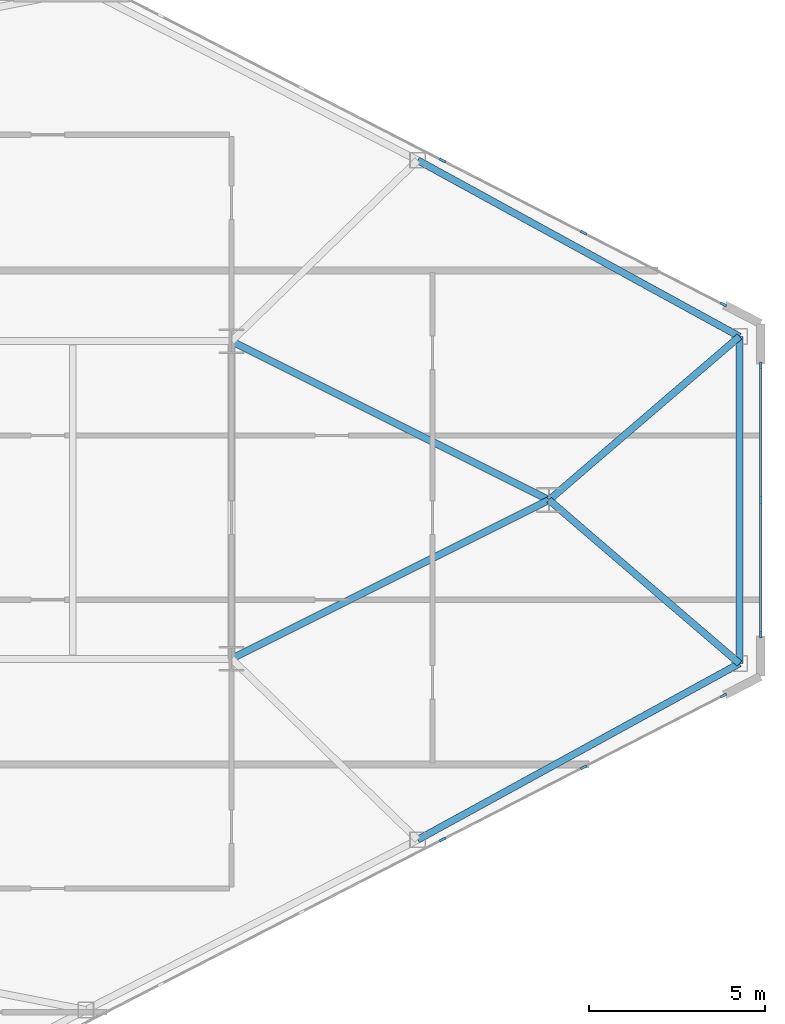
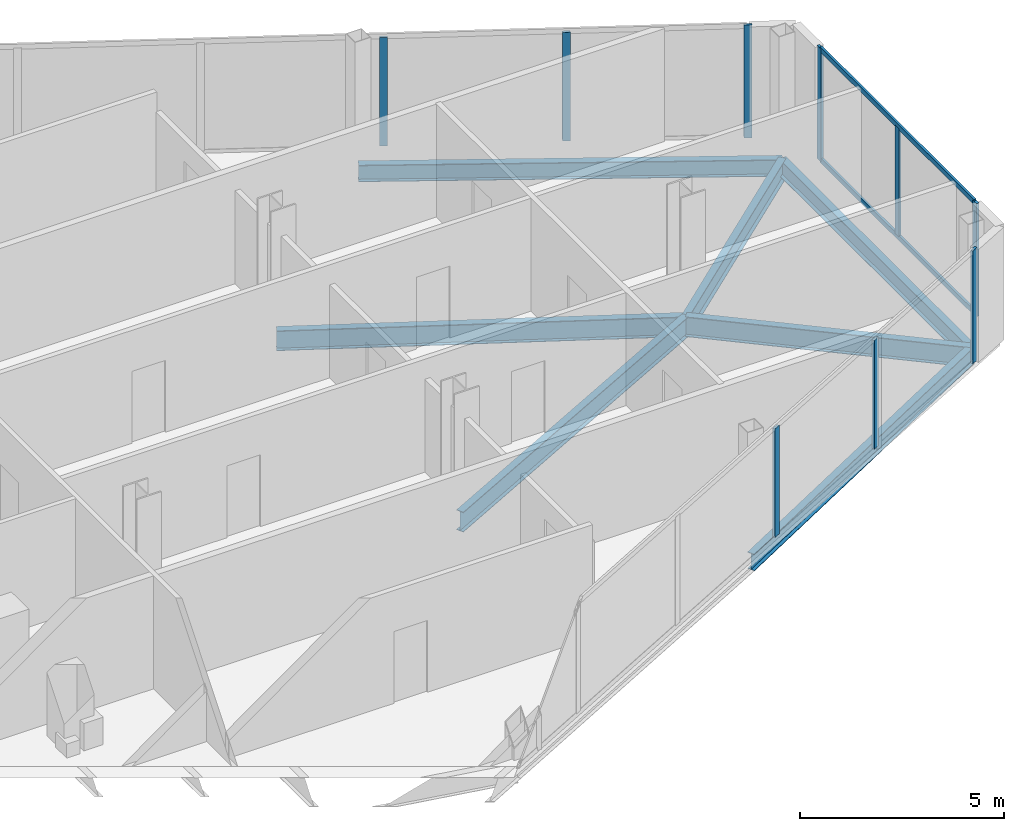
# One storey, part 13 of 24: 11 members, 7 beams, 3 elements without a shape of their own.
"""IFC4 building model written with IfcOpenShell, lengths in metres."""

from ifc_helpers import new_model, si_unit, direction, frame, origin, origin_2d, place, context, subcontext, project, spatial, rectangle, i_section, extrude, source, transform, mapped, material, layer, layer_set, material_profile, profile_set, type_object, type_shapes, element, aggregate, save


model = new_model("IFC4")

# Units and contexts
model_context = context("Model", 3, precision=1e-05, world=origin(), true_north=direction((0.0, 1.0)))
body_context = subcontext(model_context, "Body", "Model", "MODEL_VIEW")
ifc_project = project(units=[si_unit("LENGTHUNIT", "METRE"), si_unit("AREAUNIT", "SQUARE_METRE"), si_unit("VOLUMEUNIT", "CUBIC_METRE"), si_unit("PLANEANGLEUNIT", "RADIAN"), si_unit("MASSUNIT", "GRAM", prefix="KILO")], contexts=[model_context])

# Site, building, storey
site_placement = place(None, origin())
site = spatial("IfcSite", under=ifc_project, at=site_placement, CompositionType="ELEMENT")
building_placement = place(site_placement, origin())
building = spatial("IfcBuilding", under=site, at=building_placement, Name="Seokmaru Belvedere", CompositionType="ELEMENT")
storey_placement = place(building_placement, frame((0.0, 0.0, 114.0)))
storey = spatial("IfcBuildingStorey", under=building, at=storey_placement, Name="L30", CompositionType="ELEMENT", Elevation=114.0)

# Beams
ifc_material_1 = material(Name="Steel SM355 (355 MPa)", Category="steel")
ifc_material_profile_1 = material_profile(ifc_material_1, i_section(OverallWidth=0.199951171875, OverallDepth=0.60009765625, WebThickness=0.010986328125, FlangeThickness=0.01708984375, at=origin_2d()), Name="H-600x200x11x17")
ifc_profile_set_1 = profile_set([ifc_material_profile_1], Name="Steel SM355 (355 MPa)")
beam_type_1 = type_object("IfcBeamType", Name="Primary Floor Girder H-600", PredefinedType="BEAM", material=ifc_profile_set_1)
shared_shape_1 = source(origin(), body_context, "Body", "SweptSolid", [
    extrude(i_section(OverallWidth=0.199951171875, OverallDepth=0.60009765625, WebThickness=0.010986328125, FlangeThickness=0.01708984375, at=origin_2d()), origin(), (0.0, 0.0, 1.0), 10.062255859375),
])
for number, where, z_axis, x_axis, name in (
    (1, (54.5, -4.5, -0.52001953125), (0.894427191, 0.4472135955, 0.0), (-0.4472135955, 0.894427191, 0.0), "L30 E Apex Converging Girder 1"),
    (2, (54.5, 4.5, -0.52001953125), (0.894427191, -0.4472135955, 0.0), (0.4472135955, 0.894427191, 0.0), "L30 E Apex Converging Girder 2"),
):
    element("IfcBeam", number, at=place(storey_placement, frame(where, z_axis=z_axis, x_axis=x_axis)), inside=storey, type_object=beam_type_1, Name=name, PredefinedType="BEAM", context=body_context, shape_type="MappedRepresentation", body=[
        mapped(shared_shape_1, transform((0.0, 0.0, 0.0), scale=1.0)),
    ])
ifc_material_profile_2 = material_profile(ifc_material_1, i_section(OverallWidth=0.199951171875, OverallDepth=0.5, WebThickness=0.010009765625, FlangeThickness=0.01611328125, at=origin_2d()), Name="H-500x200x10x16")
ifc_profile_set_2 = profile_set([ifc_material_profile_2], Name="Steel SM355 (355 MPa)")
beam_type_2 = type_object("IfcBeamType", Name="Perimeter Spandrel Beam H-500", PredefinedType="SPANDREL", material=ifc_profile_set_2)
shared_shape_2 = source(origin(), body_context, "Body", "SweptSolid", [
    extrude(i_section(OverallWidth=0.199951171875, OverallDepth=0.5, WebThickness=0.010009765625, FlangeThickness=0.01611328125, at=origin_2d()), origin(), (0.0, 0.0, 1.0), 10.399658203125),
])
for number, where, z_axis, x_axis, name in (
    (3, (59.778564453125, -9.62890625, -0.469970703125), (0.877082374422, 0.480339992587, 0.0), (-0.480339992587, 0.877082374422, 0.0), "L30 E Faceted Flank Spandrel S-4"),
    (4, (59.778564453125, 9.62890625, -0.469970703125), (0.877082374422, -0.480339992587, 0.0), (0.480339992587, 0.877082374422, 0.0), "L30 E Faceted Flank Spandrel N-4"),
):
    element("IfcBeam", number, at=place(storey_placement, frame(where, z_axis=z_axis, x_axis=x_axis)), inside=storey, type_object=beam_type_2, Name=name, PredefinedType="SPANDREL", context=body_context, shape_type="MappedRepresentation", body=[
        mapped(shared_shape_2, transform((0.0, 0.0, 0.0), scale=1.0)),
    ])
shared_shape_3 = source(origin(), body_context, "Body", "SweptSolid", [
    extrude(i_section(OverallWidth=0.199951171875, OverallDepth=0.5, WebThickness=0.010009765625, FlangeThickness=0.01611328125, at=origin_2d()), origin(), (0.0, 0.0, 1.0), 9.26708984375),
])
type_shapes(beam_type_2, [shared_shape_2, shared_shape_3])
beam_placement = place(storey_placement, frame((68.89990234375, -4.633544921875, -0.469970703125), z_axis=(0.0, 1.0, 0.0), x_axis=(-1.0, 0.0, 0.0)))
element("IfcBeam", 5, at=beam_placement, inside=storey, type_object=beam_type_2, Name="L30 E Faceted Apex Spandrel", PredefinedType="SPANDREL", context=body_context, shape_type="MappedRepresentation", body=[
    mapped(shared_shape_3, transform((0.0, 0.0, 0.0), scale=1.0)),
])
shared_shape_4 = source(origin(), body_context, "Body", "SweptSolid", [
    extrude(i_section(OverallWidth=0.199951171875, OverallDepth=0.60009765625, WebThickness=0.010986328125, FlangeThickness=0.01708984375, at=origin_2d()), origin(), (0.0, 0.0, 1.0), 7.115478515625),
])
type_shapes(beam_type_1, [shared_shape_1, shared_shape_4])
for number, where, z_axis, x_axis, name in (
    (6, (68.89990234375, -4.633544921875, -0.52001953125), (-0.758905301881, 0.651201000289, 0.0), (-0.651201000289, -0.758905301881, 0.0), "L30 E Apex Radial Floor Girder 1"),
    (7, (68.89990234375, 4.633544921875, -0.52001953125), (-0.758905301881, -0.651201000289, 0.0), (0.651201000289, -0.758905301881, 0.0), "L30 E Apex Radial Floor Girder 2"),
):
    element("IfcBeam", number, at=place(storey_placement, frame(where, z_axis=z_axis, x_axis=x_axis)), inside=storey, type_object=beam_type_1, Name=name, PredefinedType="BEAM", context=body_context, shape_type="MappedRepresentation", body=[
        mapped(shared_shape_4, transform((0.0, 0.0, 0.0), scale=1.0)),
    ])

# Curtain wall, member
ifc_material_2 = material(Name="Bronze Triple Insulating Glass", Category="glass")
ifc_layer = layer(ifc_material_2, 0.195068359375)
ifc_layer_set = layer_set([ifc_layer], Name="Bronze Triple Insulating Glass")
curtain_wall_type = type_object("IfcCurtainWallType", Name="Sky-Lobby and Mid-Rise Curtain Wall System CW-4", PredefinedType="NOTDEFINED", material=ifc_layer_set)
curtain_wall_1_placement = place(storey_placement, origin())
curtain_wall_1 = element("IfcCurtainWall", 8, at=curtain_wall_1_placement, inside=storey, type_object=curtain_wall_type, Name="L30 Curtain Wall EF1", PredefinedType="NOTDEFINED")
ifc_material_3 = material(Name="Anodised Bronze Aluminium", Category="aluminium")
ifc_material_profile_3 = material_profile(ifc_material_3, rectangle(XDim=0.070068359375, YDim=0.195068359375, at=origin_2d()), Name="CW-M-70x195")
ifc_profile_set_3 = profile_set([ifc_material_profile_3], Name="Anodised Bronze Aluminium")
member_type_1 = type_object("IfcMemberType", Name="Bronze Unitised Mullion 70x195", PredefinedType="MULLION", material=ifc_profile_set_3)
shared_shape_5 = source(origin(), body_context, "Body", "SweptSolid", [
    extrude(rectangle(XDim=0.070068359375, YDim=0.195068359375, at=origin_2d()), origin(), (0.0, 0.0, 1.0), 3.3798828125),
])
member_1_placement = place(storey_placement, frame((68.44580078125, -5.541015625, 0.0), z_axis=(0.0, 0.0, 1.0), x_axis=(-0.456554528263, 0.889695432562, 0.0)))
member_1 = element("IfcMember", 9, at=member_1_placement, type_object=member_type_1, Name="CW:L30:EF1 Mullion 10", PredefinedType="MULLION", context=body_context, shape_type="MappedRepresentation", body=[
    mapped(shared_shape_5, transform((0.0, 0.0, 0.0), scale=1.0)),
])

# Curtain wall, members
curtain_wall_2_placement = place(storey_placement, origin())
curtain_wall_2 = element("IfcCurtainWall", 10, at=curtain_wall_2_placement, inside=storey, type_object=curtain_wall_type, Name="L30 Curtain Wall EF2", PredefinedType="NOTDEFINED")
member_2_placement = place(storey_placement, frame((69.5, -3.81494140625, 0.0), z_axis=(0.0, 0.0, 1.0), x_axis=(-1.0, 0.0, 0.0)))
member_2 = element("IfcMember", 11, at=member_2_placement, type_object=member_type_1, Name="CW:L30:EF2 Mullion 1", PredefinedType="MULLION", context=body_context, shape_type="MappedRepresentation", body=[
    mapped(shared_shape_5, transform((0.0, 0.0, 0.0), scale=1.0)),
])
member_3_placement = place(storey_placement, frame((69.5, 3.81494140625, 0.0), z_axis=(0.0, 0.0, 1.0), x_axis=(-1.0, 0.0, 0.0)))
member_3 = element("IfcMember", 12, at=member_3_placement, type_object=member_type_1, Name="CW:L30:EF2 Mullion 3", PredefinedType="MULLION", context=body_context, shape_type="MappedRepresentation", body=[
    mapped(shared_shape_5, transform((0.0, 0.0, 0.0), scale=1.0)),
])

# Curtain wall, member
curtain_wall_3_placement = place(storey_placement, origin())
curtain_wall_3 = element("IfcCurtainWall", 13, at=curtain_wall_3_placement, inside=storey, type_object=curtain_wall_type, Name="L30 Curtain Wall EF3", PredefinedType="NOTDEFINED")
member_4_placement = place(storey_placement, frame((68.44580078125, 5.541015625, 0.0), z_axis=(0.0, 0.0, 1.0), x_axis=(-0.456554528263, -0.889695432562, 0.0)))
member_4 = element("IfcMember", 14, at=member_4_placement, type_object=member_type_1, Name="CW:L30:EF3 Mullion 1", PredefinedType="MULLION", context=body_context, shape_type="MappedRepresentation", body=[
    mapped(shared_shape_5, transform((0.0, 0.0, 0.0), scale=1.0)),
])

# Member
shared_shape_6 = source(origin(), body_context, "Body", "SweptSolid", [
    extrude(rectangle(XDim=0.070068359375, YDim=0.195068359375, at=origin_2d()), origin(), (0.0, 0.0, 1.0), 3.25),
])
type_shapes(member_type_1, [shared_shape_5, shared_shape_6])
member_5_placement = place(storey_placement, frame((60.4873046875, -9.625, 0.06494140625), z_axis=(0.0, 0.0, 1.0), x_axis=(-0.456554528263, 0.889695432562, 0.0)))
member_5 = element("IfcMember", 15, at=member_5_placement, type_object=member_type_1, Name="CW:L30:EF1 Mullion 8", PredefinedType="MULLION", context=body_context, shape_type="MappedRepresentation", body=[
    mapped(shared_shape_6, transform((0.0, 0.0, 0.0), scale=1.0)),
])

member_6_placement = place(storey_placement, frame((64.48193359375, -7.574951171875, 0.06494140625), z_axis=(0.0, 0.0, 1.0), x_axis=(-0.456554528263, 0.889695432562, 0.0)))
member_6 = element("IfcMember", 16, at=member_6_placement, type_object=member_type_1, Name="CW:L30:EF1 Mullion 9", PredefinedType="MULLION", context=body_context, shape_type="MappedRepresentation", body=[
    mapped(shared_shape_6, transform((0.0, 0.0, 0.0), scale=1.0)),
])

aggregate(curtain_wall_1, [member_5, member_6, member_1])

member_7_placement = place(storey_placement, frame((69.5, 0.0, 0.06494140625), z_axis=(0.0, 0.0, 1.0), x_axis=(-1.0, 0.0, 0.0)))
member_7 = element("IfcMember", 17, at=member_7_placement, type_object=member_type_1, Name="CW:L30:EF2 Mullion 2", PredefinedType="MULLION", context=body_context, shape_type="MappedRepresentation", body=[
    mapped(shared_shape_6, transform((0.0, 0.0, 0.0), scale=1.0)),
])

member_8_placement = place(storey_placement, frame((64.48193359375, 7.574951171875, 0.06494140625), z_axis=(0.0, 0.0, 1.0), x_axis=(-0.456554528263, -0.889695432562, 0.0)))
member_8 = element("IfcMember", 18, at=member_8_placement, type_object=member_type_1, Name="CW:L30:EF3 Mullion 2", PredefinedType="MULLION", context=body_context, shape_type="MappedRepresentation", body=[
    mapped(shared_shape_6, transform((0.0, 0.0, 0.0), scale=1.0)),
])

member_9_placement = place(storey_placement, frame((60.4873046875, 9.625, 0.06494140625), z_axis=(0.0, 0.0, 1.0), x_axis=(-0.456554528263, -0.889695432562, 0.0)))
member_9 = element("IfcMember", 19, at=member_9_placement, type_object=member_type_1, Name="CW:L30:EF3 Mullion 3", PredefinedType="MULLION", context=body_context, shape_type="MappedRepresentation", body=[
    mapped(shared_shape_6, transform((0.0, 0.0, 0.0), scale=1.0)),
])

aggregate(curtain_wall_3, [member_4, member_8, member_9])

ifc_material_profile_4 = material_profile(ifc_material_3, rectangle(XDim=0.06494140625, YDim=0.14990234375, at=origin_2d()), Name="CW-T-65x150")
ifc_profile_set_4 = profile_set([ifc_material_profile_4], Name="Anodised Bronze Aluminium")
member_type_2 = type_object("IfcMemberType", Name="Bronze Unitised Transom 65x150", PredefinedType="USERDEFINED", material=ifc_profile_set_4)
shared_shape_7 = source(origin(), body_context, "Body", "SweptSolid", [
    extrude(rectangle(XDim=0.06494140625, YDim=0.14990234375, at=origin_2d()), origin(), (0.0, 0.0, 1.0), 7.56005859375),
])
type_shapes(member_type_2, [shared_shape_7])
member_10_placement = place(storey_placement, frame((69.5, -3.780029296875, 0.032470703125), z_axis=(0.0, 1.0, 0.0), x_axis=(-1.0, 0.0, 0.0)))
member_10 = element("IfcMember", 20, at=member_10_placement, type_object=member_type_2, Name="CW:L30:EF2 Continuous Transom 1", ObjectType="TRANSOM", PredefinedType="USERDEFINED", context=body_context, shape_type="MappedRepresentation", body=[
    mapped(shared_shape_7, transform((0.0, 0.0, 0.0), scale=1.0)),
])

member_11_placement = place(storey_placement, frame((69.5, -3.780029296875, 3.347412109375), z_axis=(0.0, 1.0, 0.0), x_axis=(-1.0, 0.0, 0.0)))
member_11 = element("IfcMember", 21, at=member_11_placement, type_object=member_type_2, Name="CW:L30:EF2 Continuous Transom 2", ObjectType="TRANSOM", PredefinedType="USERDEFINED", context=body_context, shape_type="MappedRepresentation", body=[
    mapped(shared_shape_7, transform((0.0, 0.0, 0.0), scale=1.0)),
])

aggregate(curtain_wall_2, [member_2, member_7, member_3, member_10, member_11])

save(model, "model.ifc")
